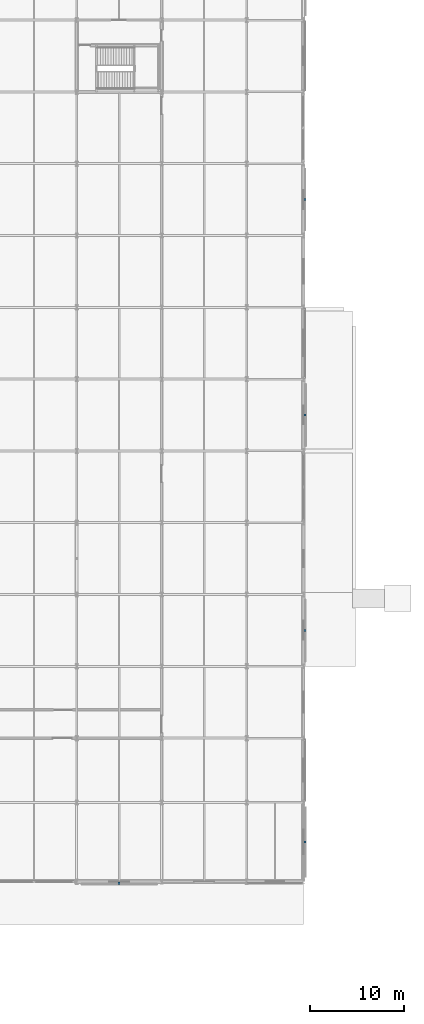
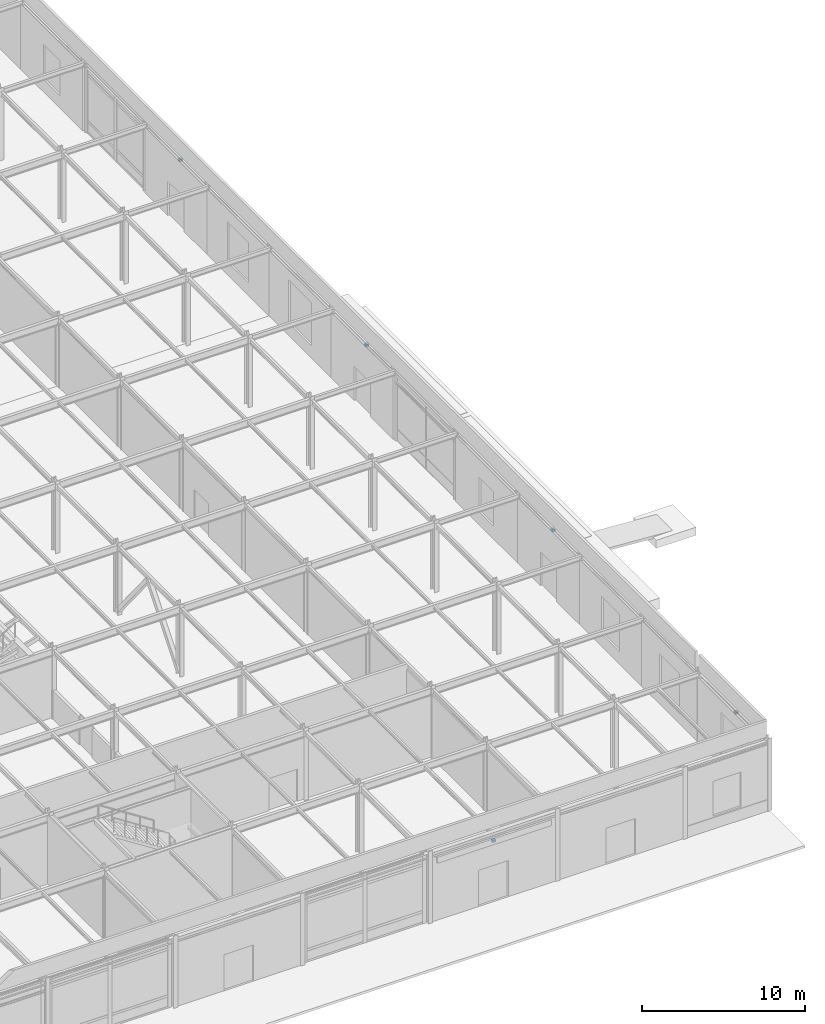
# One storey, part 80 of 89: 5 discrete accessories.
"""IFC4 building model written with IfcOpenShell, lengths in metres."""

from ifc_helpers import new_model, si_unit, direction, frame, origin, origin_2d, place, context, subcontext, project, spatial, rectangle, extrude, material, type_object, element, save


model = new_model("IFC4")

# Units and contexts
model_context = context("Model", 3, precision=1e-05, world=origin(), true_north=direction((0.0, 1.0)))
body_context = subcontext(model_context, "Body", "Model", "MODEL_VIEW")
ifc_project = project(units=[si_unit("LENGTHUNIT", "METRE"), si_unit("AREAUNIT", "SQUARE_METRE"), si_unit("VOLUMEUNIT", "CUBIC_METRE"), si_unit("PLANEANGLEUNIT", "RADIAN"), si_unit("MASSUNIT", "GRAM", prefix="KILO")], contexts=[model_context])

# Site, building, storey
site_placement = place(None, origin())
site = spatial("IfcSite", under=ifc_project, at=site_placement, CompositionType="ELEMENT")
building_placement = place(site_placement, origin())
building = spatial("IfcBuilding", under=site, at=building_placement, Name="Shalkamar Park Central Library", CompositionType="ELEMENT")
storey_placement = place(building_placement, origin())
storey = spatial("IfcBuildingStorey", under=building, at=storey_placement, Name="L01", CompositionType="ELEMENT", Elevation=0.0)

# Discrete accessories
ifc_material = material(Name="Steel S355", Category="steel")
discrete_accessory_type = type_object("IfcDiscreteAccessoryType", Name="Stainless Facade Bracket", PredefinedType="BRACKET", material=ifc_material)
for number, where, z_axis, x_axis, name in (
    (1, (268.5, 239.840087890625, 4.4931640625), (0.0, 0.0, 1.0), (1.0, 0.0, 0.0), "Frieze Fixing Bracket L01-006"),
    (2, (288.159912109375, 244.199951171875, 4.533203125), (0.0, 0.0, 1.0), (1.0, 0.0, 0.0), "Frieze Fixing Bracket L01-024"),
    (3, (288.159912109375, 266.60009765625, 4.5732421875), (0.0, 0.0, 1.0), (1.0, 0.0, 0.0), "Frieze Fixing Bracket L01-025"),
    (4, (288.159912109375, 289.39990234375, 4.5732421875), (0.0, 0.0, 1.0), (1.0, 0.0, 0.0), "Frieze Fixing Bracket L01-026"),
    (5, (288.159912109375, 312.199951171875, 4.5732421875), (0.0, 0.0, 1.0), (1.0, 0.0, 0.0), "Frieze Fixing Bracket L01-027"),
):
    element("IfcDiscreteAccessory", number, at=place(storey_placement, frame(where, z_axis=z_axis, x_axis=x_axis)), inside=storey, type_object=discrete_accessory_type, Name=name, PredefinedType="BRACKET", context=body_context, shape_type="SweptSolid", body=[
        extrude(rectangle(XDim=0.219970703125, YDim=0.219970703125, at=origin_2d()), origin(), (0.0, 0.0, 1.0), 0.159912109375),
    ])

save(model, "model.ifc")
